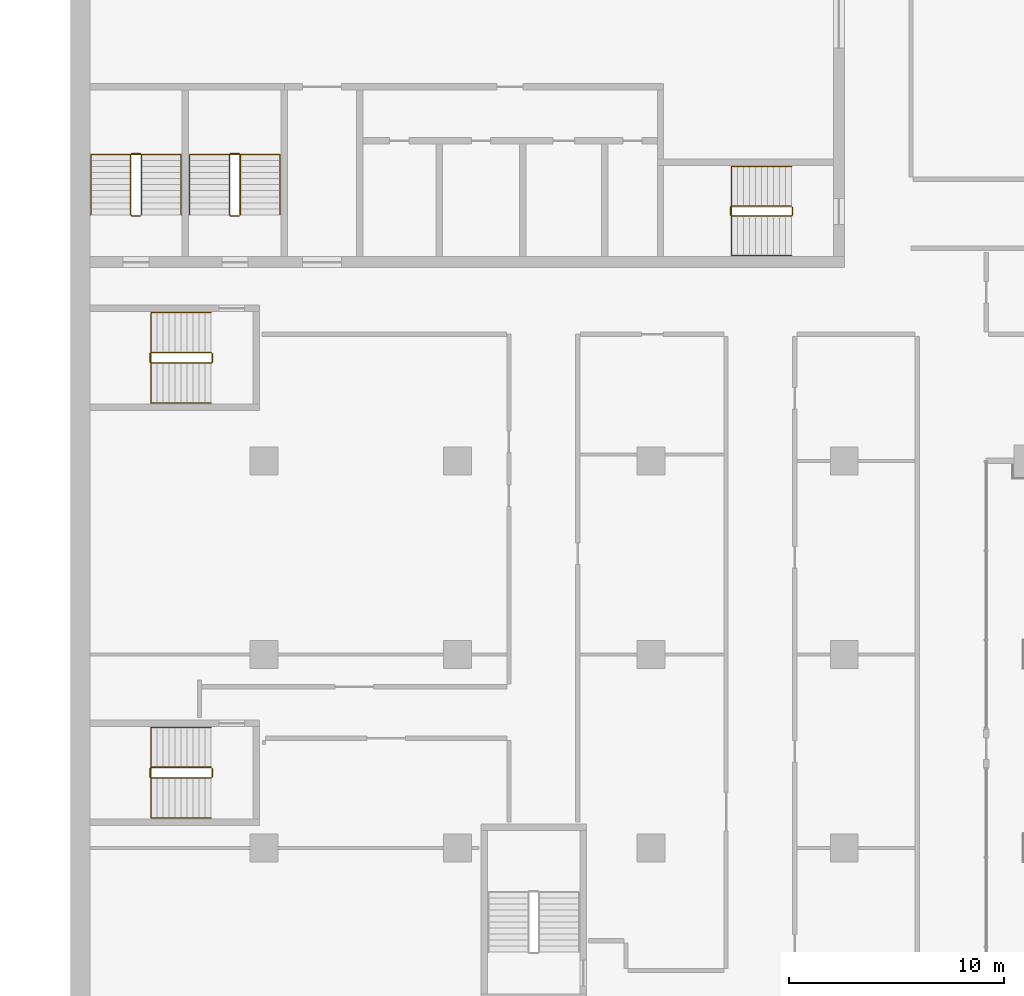
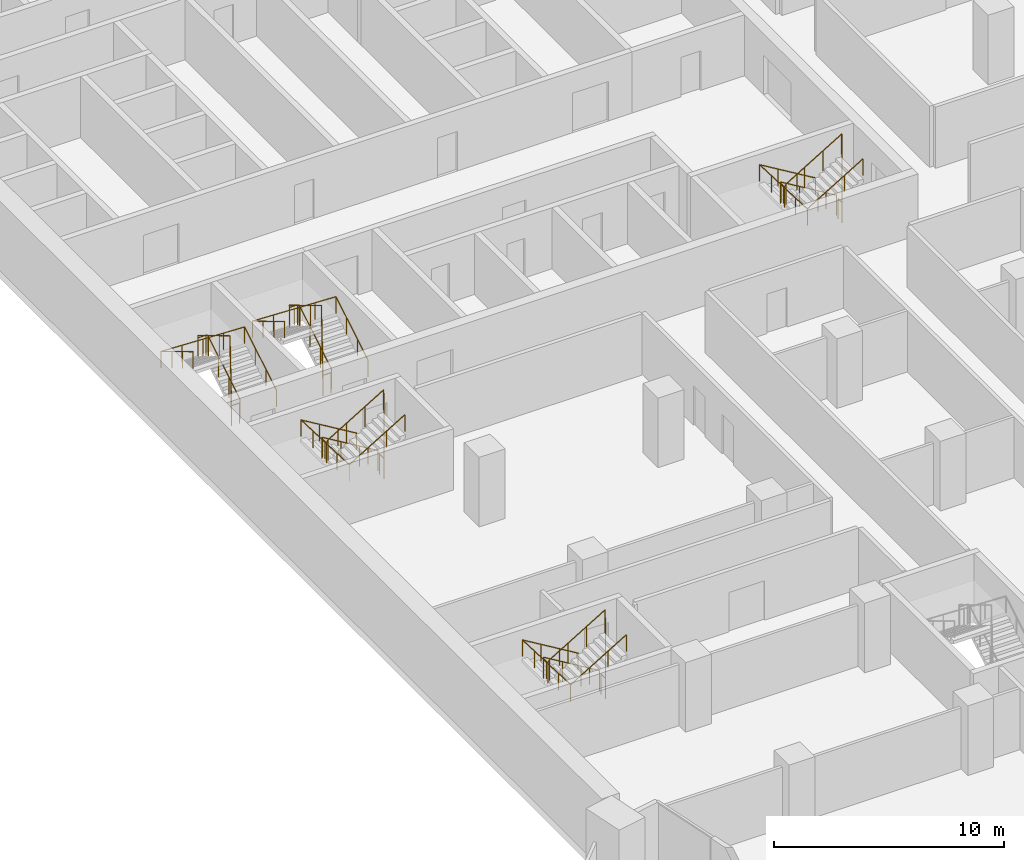
# One storey, part 21 of 23: 10 railings.
"""IFC4 building model written with IfcOpenShell, lengths in metres."""

from ifc_helpers import new_model, si_unit, direction, frame, origin, origin_2d, place, context, subcontext, project, spatial, circle, extrude, material, type_object, element, save


model = new_model("IFC4")

# Units and contexts
model_context = context("Model", 3, precision=1e-05, world=origin(), true_north=direction((0.0, 1.0)))
body_context = subcontext(model_context, "Body", "Model", "MODEL_VIEW")
ifc_project = project(units=[si_unit("LENGTHUNIT", "METRE"), si_unit("AREAUNIT", "SQUARE_METRE"), si_unit("VOLUMEUNIT", "CUBIC_METRE"), si_unit("PLANEANGLEUNIT", "RADIAN"), si_unit("MASSUNIT", "GRAM", prefix="KILO")], contexts=[model_context])

# Site, building, storey
site_placement = place(None, origin())
site = spatial("IfcSite", under=ifc_project, at=site_placement, CompositionType="ELEMENT")
building_placement = place(site_placement, origin())
building = spatial("IfcBuilding", under=site, at=building_placement, Name="Hunhe Ridgeline Campus", CompositionType="ELEMENT")
storey_placement = place(building_placement, frame((0.0, 0.0, 125.5)))
storey = spatial("IfcBuildingStorey", under=building, at=storey_placement, Name="L31", CompositionType="ELEMENT", Elevation=125.5)

# Railings
ifc_material_1 = material(Name="Stainless steel balustrade", Category="steel")
railing_type_1 = type_object("IfcRailingType", Name="Stair guard 1100 stainless", PredefinedType="GUARDRAIL", material=ifc_material_1)
railing_1_placement = place(storey_placement, frame((33.550048828125, 65.85009765625, 0.168212890625)))
element("IfcRailing", 1, at=railing_1_placement, inside=storey, type_object=railing_type_1, Name="L31 stair S2 guard", PredefinedType="GUARDRAIL", context=body_context, shape_type="SweptSolid", body=[
    extrude(circle(Radius=0.02392578125, at=origin_2d()), frame((0.0, 0.0, 1.076171875), z_axis=(-0.857242210791, 0.0, 0.514913383045), x_axis=(0.0, -1.0, 0.0)), (0.0, 0.0, 1.0), 3.266357421875),
    extrude(circle(Radius=0.02392578125, at=origin_2d()), frame((-2.800048828125, 0.0, 2.7578125), z_axis=(-0.707106781187, -0.707106781187, 0.0), x_axis=(0.707106781187, -0.707106781187, 0.0)), (0.0, 0.0, 1.0), 0.07080078125),
    extrude(circle(Radius=0.02392578125, at=origin_2d()), frame((-2.85009765625, -0.050048828125, 2.7578125), z_axis=(0.0, -1.0, 0.0), x_axis=(1.0, 0.0, 0.0)), (0.0, 0.0, 1.0), 0.35009765625),
    extrude(circle(Radius=0.02392578125, at=origin_2d()), frame((-2.85009765625, -0.400146484375, 2.7578125), z_axis=(0.274582412415, -0.274582412415, 0.921525364591), x_axis=(0.707106781187, 0.707106781187, 0.0)), (0.0, 0.0, 1.0), 0.182373046875),
    extrude(circle(Radius=0.02392578125, at=origin_2d()), frame((-2.800048828125, -0.4501953125, 2.92578125), z_axis=(0.857242210791, 0.0, 0.514913383045), x_axis=(0.0, 1.0, 0.0)), (0.0, 0.0, 1.0), 3.266357421875),
    extrude(circle(Radius=0.02392578125, at=origin_2d()), frame((0.0, -0.4501953125, 4.60791015625), z_axis=(0.013524414389, 0.013524414389, -0.999817073484), x_axis=(-0.707106781187, 0.707106781187, 0.0)), (0.0, 0.0, 1.0), 3.70068359375),
    extrude(circle(Radius=0.02392578125, at=origin_2d()), frame((0.050048828125, -0.400146484375, 0.90771484375), z_axis=(0.0, 1.0, 0.0), x_axis=(-1.0, 0.0, 0.0)), (0.0, 0.0, 1.0), 0.35009765625),
    extrude(circle(Radius=0.02099609375, at=origin_2d()), origin(), (0.0, 0.0, 1.0), 1.052001953125),
    extrude(circle(Radius=0.02099609375, at=origin_2d()), frame((-0.933349609375, 0.0, 0.560546875)), (0.0, 0.0, 1.0), 1.052001953125),
    extrude(circle(Radius=0.02099609375, at=origin_2d()), frame((-1.86669921875, 0.0, 1.121337890625)), (0.0, 0.0, 1.0), 1.052001953125),
    extrude(circle(Radius=0.02099609375, at=origin_2d()), frame((-2.800048828125, 0.0, 1.681884765625)), (0.0, 0.0, 1.0), 1.052001953125),
    extrude(circle(Radius=0.02099609375, at=origin_2d()), frame((-2.85009765625, -0.050048828125, 1.681884765625)), (0.0, 0.0, 1.0), 1.052001953125),
    extrude(circle(Radius=0.02099609375, at=origin_2d()), frame((-2.85009765625, -0.400146484375, 1.681884765625)), (0.0, 0.0, 1.0), 1.052001953125),
    extrude(circle(Radius=0.02099609375, at=origin_2d()), frame((-2.800048828125, -0.4501953125, 1.849853515625)), (0.0, 0.0, 1.0), 1.052001953125),
    extrude(circle(Radius=0.02099609375, at=origin_2d()), frame((-1.86669921875, -0.4501953125, 2.410400390625)), (0.0, 0.0, 1.0), 1.052001953125),
    extrude(circle(Radius=0.02099609375, at=origin_2d()), frame((-0.933349609375, -0.4501953125, 2.97119140625)), (0.0, 0.0, 1.0), 1.052001953125),
    extrude(circle(Radius=0.02099609375, at=origin_2d()), frame((0.0, -0.4501953125, 3.53173828125)), (0.0, 0.0, 1.0), 1.052001953125),
    extrude(circle(Radius=0.02099609375, at=origin_2d()), frame((0.012451171875, -0.437744140625, 2.606689453125)), (0.0, 0.0, 1.0), 1.052001953125),
    extrude(circle(Radius=0.02099609375, at=origin_2d()), frame((0.02490234375, -0.42529296875, 1.681640625)), (0.0, 0.0, 1.0), 1.052001953125),
    extrude(circle(Radius=0.02099609375, at=origin_2d()), frame((0.03759765625, -0.41259765625, 0.7568359375)), (0.0, 0.0, 1.0), 1.052001953125),
    extrude(circle(Radius=0.02099609375, at=origin_2d()), frame((0.050048828125, -0.400146484375, -0.168212890625)), (0.0, 0.0, 1.0), 1.052001953125),
    extrude(circle(Radius=0.02099609375, at=origin_2d()), frame((0.050048828125, -0.050048828125, -0.168212890625)), (0.0, 0.0, 1.0), 1.052001953125),
])
railing_2_placement = place(storey_placement, frame((3.300048828125, 65.449951171875, 0.168212890625)))
element("IfcRailing", 2, at=railing_2_placement, inside=storey, type_object=railing_type_1, Name="L31 stair S3 guard", PredefinedType="GUARDRAIL", context=body_context, shape_type="SweptSolid", body=[
    extrude(circle(Radius=0.02392578125, at=origin_2d()), frame((0.0, 0.0, 1.076171875), z_axis=(0.0, 0.857242210791, 0.514913383045), x_axis=(-1.0, 0.0, 0.0)), (0.0, 0.0, 1.0), 3.266357421875),
    extrude(circle(Radius=0.02392578125, at=origin_2d()), frame((0.0, 2.800048828125, 2.7578125), z_axis=(-0.707106781187, 0.707106781187, 0.0), x_axis=(-0.707106781187, -0.707106781187, 0.0)), (0.0, 0.0, 1.0), 0.07080078125),
    extrude(circle(Radius=0.02392578125, at=origin_2d()), frame((-0.050048828125, 2.85009765625, 2.7578125), z_axis=(-1.0, 0.0, 0.0), x_axis=(0.0, -1.0, 0.0)), (0.0, 0.0, 1.0), 0.39990234375),
    extrude(circle(Radius=0.02392578125, at=origin_2d()), frame((-0.449951171875, 2.85009765625, 2.7578125), z_axis=(-0.274582412415, -0.274582412415, 0.921525364591), x_axis=(0.707106781187, -0.707106781187, 0.0)), (0.0, 0.0, 1.0), 0.182373046875),
    extrude(circle(Radius=0.02392578125, at=origin_2d()), frame((-0.5, 2.800048828125, 2.92578125), z_axis=(0.0, -0.857242210791, 0.514913383045), x_axis=(1.0, 0.0, 0.0)), (0.0, 0.0, 1.0), 3.266357421875),
    extrude(circle(Radius=0.02392578125, at=origin_2d()), frame((-0.5, 0.0, 4.60791015625), z_axis=(0.013524414389, -0.013524414389, -0.999817073484), x_axis=(0.707106781187, 0.707106781187, 0.0)), (0.0, 0.0, 1.0), 3.70068359375),
    extrude(circle(Radius=0.02392578125, at=origin_2d()), frame((-0.449951171875, -0.050048828125, 0.90771484375), z_axis=(1.0, 0.0, 0.0), x_axis=(0.0, 1.0, 0.0)), (0.0, 0.0, 1.0), 0.39990234375),
    extrude(circle(Radius=0.02099609375, at=origin_2d()), origin(), (0.0, 0.0, 1.0), 1.052001953125),
    extrude(circle(Radius=0.02099609375, at=origin_2d()), frame((0.0, 0.933349609375, 0.560546875)), (0.0, 0.0, 1.0), 1.052001953125),
    extrude(circle(Radius=0.02099609375, at=origin_2d()), frame((0.0, 1.86669921875, 1.121337890625)), (0.0, 0.0, 1.0), 1.052001953125),
    extrude(circle(Radius=0.02099609375, at=origin_2d()), frame((0.0, 2.800048828125, 1.681884765625)), (0.0, 0.0, 1.0), 1.052001953125),
    extrude(circle(Radius=0.02099609375, at=origin_2d()), frame((-0.050048828125, 2.85009765625, 1.681884765625)), (0.0, 0.0, 1.0), 1.052001953125),
    extrude(circle(Radius=0.02099609375, at=origin_2d()), frame((-0.449951171875, 2.85009765625, 1.681884765625)), (0.0, 0.0, 1.0), 1.052001953125),
    extrude(circle(Radius=0.02099609375, at=origin_2d()), frame((-0.5, 2.800048828125, 1.849853515625)), (0.0, 0.0, 1.0), 1.052001953125),
    extrude(circle(Radius=0.02099609375, at=origin_2d()), frame((-0.5, 1.86669921875, 2.410400390625)), (0.0, 0.0, 1.0), 1.052001953125),
    extrude(circle(Radius=0.02099609375, at=origin_2d()), frame((-0.5, 0.933349609375, 2.97119140625)), (0.0, 0.0, 1.0), 1.052001953125),
    extrude(circle(Radius=0.02099609375, at=origin_2d()), frame((-0.5, 0.0, 3.53173828125)), (0.0, 0.0, 1.0), 1.052001953125),
    extrude(circle(Radius=0.02099609375, at=origin_2d()), frame((-0.487548828125, -0.012451171875, 2.606689453125)), (0.0, 0.0, 1.0), 1.052001953125),
    extrude(circle(Radius=0.02099609375, at=origin_2d()), frame((-0.47509765625, -0.02490234375, 1.681640625)), (0.0, 0.0, 1.0), 1.052001953125),
    extrude(circle(Radius=0.02099609375, at=origin_2d()), frame((-0.46240234375, -0.03759765625, 0.7568359375)), (0.0, 0.0, 1.0), 1.052001953125),
    extrude(circle(Radius=0.02099609375, at=origin_2d()), frame((-0.449951171875, -0.050048828125, -0.168212890625)), (0.0, 0.0, 1.0), 1.052001953125),
    extrude(circle(Radius=0.02099609375, at=origin_2d()), frame((-0.050048828125, -0.050048828125, -0.168212890625)), (0.0, 0.0, 1.0), 1.052001953125),
])
railing_3_placement = place(storey_placement, frame((7.89990234375, 65.449951171875, 0.168212890625)))
element("IfcRailing", 3, at=railing_3_placement, inside=storey, type_object=railing_type_1, Name="L31 stair S4 guard", PredefinedType="GUARDRAIL", context=body_context, shape_type="SweptSolid", body=[
    extrude(circle(Radius=0.02392578125, at=origin_2d()), frame((0.0, 0.0, 1.076171875), z_axis=(0.0, 0.857242210791, 0.514913383045), x_axis=(-1.0, 0.0, 0.0)), (0.0, 0.0, 1.0), 3.266357421875),
    extrude(circle(Radius=0.02392578125, at=origin_2d()), frame((0.0, 2.800048828125, 2.7578125), z_axis=(-0.705375805398, 0.708833529934, 0.0), x_axis=(-0.708833529934, -0.705375805398, 0.0)), (0.0, 0.0, 1.0), 0.070556640625),
    extrude(circle(Radius=0.02392578125, at=origin_2d()), frame((-0.0498046875, 2.85009765625, 2.7578125), z_axis=(-1.0, 0.0, 0.0), x_axis=(0.0, -1.0, 0.0)), (0.0, 0.0, 1.0), 0.400146484375),
    extrude(circle(Radius=0.02392578125, at=origin_2d()), frame((-0.449951171875, 2.85009765625, 2.7578125), z_axis=(-0.274582412415, -0.274582412415, 0.921525364591), x_axis=(0.707106781187, -0.707106781187, 0.0)), (0.0, 0.0, 1.0), 0.182373046875),
    extrude(circle(Radius=0.02392578125, at=origin_2d()), frame((-0.5, 2.800048828125, 2.92578125), z_axis=(0.0, -0.857242210791, 0.514913383045), x_axis=(1.0, 0.0, 0.0)), (0.0, 0.0, 1.0), 3.266357421875),
    extrude(circle(Radius=0.02392578125, at=origin_2d()), frame((-0.5, 0.0, 4.60791015625), z_axis=(0.013524414389, -0.013524414389, -0.999817073484), x_axis=(0.707106781187, 0.707106781187, 0.0)), (0.0, 0.0, 1.0), 3.70068359375),
    extrude(circle(Radius=0.02392578125, at=origin_2d()), frame((-0.449951171875, -0.050048828125, 0.90771484375), z_axis=(1.0, 0.0, 0.0), x_axis=(0.0, 1.0, 0.0)), (0.0, 0.0, 1.0), 0.400146484375),
    extrude(circle(Radius=0.02099609375, at=origin_2d()), origin(), (0.0, 0.0, 1.0), 1.052001953125),
    extrude(circle(Radius=0.02099609375, at=origin_2d()), frame((0.0, 0.933349609375, 0.560546875)), (0.0, 0.0, 1.0), 1.052001953125),
    extrude(circle(Radius=0.02099609375, at=origin_2d()), frame((0.0, 1.86669921875, 1.121337890625)), (0.0, 0.0, 1.0), 1.052001953125),
    extrude(circle(Radius=0.02099609375, at=origin_2d()), frame((0.0, 2.800048828125, 1.681884765625)), (0.0, 0.0, 1.0), 1.052001953125),
    extrude(circle(Radius=0.02099609375, at=origin_2d()), frame((-0.0498046875, 2.85009765625, 1.681884765625)), (0.0, 0.0, 1.0), 1.052001953125),
    extrude(circle(Radius=0.02099609375, at=origin_2d()), frame((-0.449951171875, 2.85009765625, 1.681884765625)), (0.0, 0.0, 1.0), 1.052001953125),
    extrude(circle(Radius=0.02099609375, at=origin_2d()), frame((-0.5, 2.800048828125, 1.849853515625)), (0.0, 0.0, 1.0), 1.052001953125),
    extrude(circle(Radius=0.02099609375, at=origin_2d()), frame((-0.5, 1.86669921875, 2.410400390625)), (0.0, 0.0, 1.0), 1.052001953125),
    extrude(circle(Radius=0.02099609375, at=origin_2d()), frame((-0.5, 0.933349609375, 2.97119140625)), (0.0, 0.0, 1.0), 1.052001953125),
    extrude(circle(Radius=0.02099609375, at=origin_2d()), frame((-0.5, 0.0, 3.53173828125)), (0.0, 0.0, 1.0), 1.052001953125),
    extrude(circle(Radius=0.02099609375, at=origin_2d()), frame((-0.487548828125, -0.012451171875, 2.606689453125)), (0.0, 0.0, 1.0), 1.052001953125),
    extrude(circle(Radius=0.02099609375, at=origin_2d()), frame((-0.47509765625, -0.02490234375, 1.681640625)), (0.0, 0.0, 1.0), 1.052001953125),
    extrude(circle(Radius=0.02099609375, at=origin_2d()), frame((-0.46240234375, -0.03759765625, 0.7568359375)), (0.0, 0.0, 1.0), 1.052001953125),
    extrude(circle(Radius=0.02099609375, at=origin_2d()), frame((-0.449951171875, -0.050048828125, -0.168212890625)), (0.0, 0.0, 1.0), 1.052001953125),
    extrude(circle(Radius=0.02099609375, at=origin_2d()), frame((-0.0498046875, -0.050048828125, -0.168212890625)), (0.0, 0.0, 1.0), 1.052001953125),
])
railing_4_placement = place(storey_placement, frame((6.550048828125, 39.75, 0.168212890625)))
element("IfcRailing", 4, at=railing_4_placement, inside=storey, type_object=railing_type_1, Name="L31 stair W1 guard", PredefinedType="GUARDRAIL", context=body_context, shape_type="SweptSolid", body=[
    extrude(circle(Radius=0.02392578125, at=origin_2d()), frame((0.0, 0.0, 1.076171875), z_axis=(-0.857242210791, 0.0, 0.514913383045), x_axis=(0.0, -1.0, 0.0)), (0.0, 0.0, 1.0), 3.266357421875),
    extrude(circle(Radius=0.02392578125, at=origin_2d()), frame((-2.800048828125, 0.0, 2.7578125), z_axis=(-0.707106781187, -0.707106781187, 0.0), x_axis=(0.707106781187, -0.707106781187, 0.0)), (0.0, 0.0, 1.0), 0.07080078125),
    extrude(circle(Radius=0.02392578125, at=origin_2d()), frame((-2.85009765625, -0.050048828125, 2.7578125), z_axis=(0.0, -1.0, 0.0), x_axis=(1.0, 0.0, 0.0)), (0.0, 0.0, 1.0), 0.39990234375),
    extrude(circle(Radius=0.02392578125, at=origin_2d()), frame((-2.85009765625, -0.449951171875, 2.7578125), z_axis=(0.274582412415, -0.274582412415, 0.921525364591), x_axis=(0.707106781187, 0.707106781187, 0.0)), (0.0, 0.0, 1.0), 0.182373046875),
    extrude(circle(Radius=0.02392578125, at=origin_2d()), frame((-2.800048828125, -0.5, 2.92578125), z_axis=(0.857242210791, 0.0, 0.514913383045), x_axis=(0.0, 1.0, 0.0)), (0.0, 0.0, 1.0), 3.266357421875),
    extrude(circle(Radius=0.02392578125, at=origin_2d()), frame((0.0, -0.5, 4.60791015625), z_axis=(0.013524414389, 0.013524414389, -0.999817073484), x_axis=(-0.707106781187, 0.707106781187, 0.0)), (0.0, 0.0, 1.0), 3.70068359375),
    extrude(circle(Radius=0.02392578125, at=origin_2d()), frame((0.050048828125, -0.449951171875, 0.90771484375), z_axis=(0.0, 1.0, 0.0), x_axis=(-1.0, 0.0, 0.0)), (0.0, 0.0, 1.0), 0.39990234375),
    extrude(circle(Radius=0.02099609375, at=origin_2d()), origin(), (0.0, 0.0, 1.0), 1.052001953125),
    extrude(circle(Radius=0.02099609375, at=origin_2d()), frame((-0.933349609375, 0.0, 0.560546875)), (0.0, 0.0, 1.0), 1.052001953125),
    extrude(circle(Radius=0.02099609375, at=origin_2d()), frame((-1.86669921875, 0.0, 1.121337890625)), (0.0, 0.0, 1.0), 1.052001953125),
    extrude(circle(Radius=0.02099609375, at=origin_2d()), frame((-2.800048828125, 0.0, 1.681884765625)), (0.0, 0.0, 1.0), 1.052001953125),
    extrude(circle(Radius=0.02099609375, at=origin_2d()), frame((-2.85009765625, -0.050048828125, 1.681884765625)), (0.0, 0.0, 1.0), 1.052001953125),
    extrude(circle(Radius=0.02099609375, at=origin_2d()), frame((-2.85009765625, -0.449951171875, 1.681884765625)), (0.0, 0.0, 1.0), 1.052001953125),
    extrude(circle(Radius=0.02099609375, at=origin_2d()), frame((-2.800048828125, -0.5, 1.849853515625)), (0.0, 0.0, 1.0), 1.052001953125),
    extrude(circle(Radius=0.02099609375, at=origin_2d()), frame((-1.86669921875, -0.5, 2.410400390625)), (0.0, 0.0, 1.0), 1.052001953125),
    extrude(circle(Radius=0.02099609375, at=origin_2d()), frame((-0.933349609375, -0.5, 2.97119140625)), (0.0, 0.0, 1.0), 1.052001953125),
    extrude(circle(Radius=0.02099609375, at=origin_2d()), frame((0.0, -0.5, 3.53173828125)), (0.0, 0.0, 1.0), 1.052001953125),
    extrude(circle(Radius=0.02099609375, at=origin_2d()), frame((0.012451171875, -0.487548828125, 2.606689453125)), (0.0, 0.0, 1.0), 1.052001953125),
    extrude(circle(Radius=0.02099609375, at=origin_2d()), frame((0.02490234375, -0.47509765625, 1.681640625)), (0.0, 0.0, 1.0), 1.052001953125),
    extrude(circle(Radius=0.02099609375, at=origin_2d()), frame((0.03759765625, -0.46240234375, 0.7568359375)), (0.0, 0.0, 1.0), 1.052001953125),
    extrude(circle(Radius=0.02099609375, at=origin_2d()), frame((0.050048828125, -0.449951171875, -0.168212890625)), (0.0, 0.0, 1.0), 1.052001953125),
    extrude(circle(Radius=0.02099609375, at=origin_2d()), frame((0.050048828125, -0.050048828125, -0.168212890625)), (0.0, 0.0, 1.0), 1.052001953125),
])
railing_5_placement = place(storey_placement, frame((6.550048828125, 59.050048828125, 0.168212890625)))
element("IfcRailing", 5, at=railing_5_placement, inside=storey, type_object=railing_type_1, Name="L31 stair W2 guard", PredefinedType="GUARDRAIL", context=body_context, shape_type="SweptSolid", body=[
    extrude(circle(Radius=0.02392578125, at=origin_2d()), frame((0.0, 0.0, 1.076171875), z_axis=(-0.857242210791, 0.0, 0.514913383045), x_axis=(0.0, -1.0, 0.0)), (0.0, 0.0, 1.0), 3.266357421875),
    extrude(circle(Radius=0.02392578125, at=origin_2d()), frame((-2.800048828125, 0.0, 2.7578125), z_axis=(-0.707106781187, -0.707106781187, 0.0), x_axis=(0.707106781187, -0.707106781187, 0.0)), (0.0, 0.0, 1.0), 0.07080078125),
    extrude(circle(Radius=0.02392578125, at=origin_2d()), frame((-2.85009765625, -0.050048828125, 2.7578125), z_axis=(0.0, -1.0, 0.0), x_axis=(1.0, 0.0, 0.0)), (0.0, 0.0, 1.0), 0.39990234375),
    extrude(circle(Radius=0.02392578125, at=origin_2d()), frame((-2.85009765625, -0.449951171875, 2.7578125), z_axis=(0.274582412415, -0.274582412415, 0.921525364591), x_axis=(0.707106781187, 0.707106781187, 0.0)), (0.0, 0.0, 1.0), 0.182373046875),
    extrude(circle(Radius=0.02392578125, at=origin_2d()), frame((-2.800048828125, -0.5, 2.92578125), z_axis=(0.857242210791, 0.0, 0.514913383045), x_axis=(0.0, 1.0, 0.0)), (0.0, 0.0, 1.0), 3.266357421875),
    extrude(circle(Radius=0.02392578125, at=origin_2d()), frame((0.0, -0.5, 4.60791015625), z_axis=(0.013524414389, 0.013524414389, -0.999817073484), x_axis=(-0.707106781187, 0.707106781187, 0.0)), (0.0, 0.0, 1.0), 3.70068359375),
    extrude(circle(Radius=0.02392578125, at=origin_2d()), frame((0.050048828125, -0.449951171875, 0.90771484375), z_axis=(0.0, 1.0, 0.0), x_axis=(-1.0, 0.0, 0.0)), (0.0, 0.0, 1.0), 0.39990234375),
    extrude(circle(Radius=0.02099609375, at=origin_2d()), origin(), (0.0, 0.0, 1.0), 1.052001953125),
    extrude(circle(Radius=0.02099609375, at=origin_2d()), frame((-0.933349609375, 0.0, 0.560546875)), (0.0, 0.0, 1.0), 1.052001953125),
    extrude(circle(Radius=0.02099609375, at=origin_2d()), frame((-1.86669921875, 0.0, 1.121337890625)), (0.0, 0.0, 1.0), 1.052001953125),
    extrude(circle(Radius=0.02099609375, at=origin_2d()), frame((-2.800048828125, 0.0, 1.681884765625)), (0.0, 0.0, 1.0), 1.052001953125),
    extrude(circle(Radius=0.02099609375, at=origin_2d()), frame((-2.85009765625, -0.050048828125, 1.681884765625)), (0.0, 0.0, 1.0), 1.052001953125),
    extrude(circle(Radius=0.02099609375, at=origin_2d()), frame((-2.85009765625, -0.449951171875, 1.681884765625)), (0.0, 0.0, 1.0), 1.052001953125),
    extrude(circle(Radius=0.02099609375, at=origin_2d()), frame((-2.800048828125, -0.5, 1.849853515625)), (0.0, 0.0, 1.0), 1.052001953125),
    extrude(circle(Radius=0.02099609375, at=origin_2d()), frame((-1.86669921875, -0.5, 2.410400390625)), (0.0, 0.0, 1.0), 1.052001953125),
    extrude(circle(Radius=0.02099609375, at=origin_2d()), frame((-0.933349609375, -0.5, 2.97119140625)), (0.0, 0.0, 1.0), 1.052001953125),
    extrude(circle(Radius=0.02099609375, at=origin_2d()), frame((0.0, -0.5, 3.53173828125)), (0.0, 0.0, 1.0), 1.052001953125),
    extrude(circle(Radius=0.02099609375, at=origin_2d()), frame((0.012451171875, -0.487548828125, 2.606689453125)), (0.0, 0.0, 1.0), 1.052001953125),
    extrude(circle(Radius=0.02099609375, at=origin_2d()), frame((0.02490234375, -0.47509765625, 1.681640625)), (0.0, 0.0, 1.0), 1.052001953125),
    extrude(circle(Radius=0.02099609375, at=origin_2d()), frame((0.03759765625, -0.46240234375, 0.7568359375)), (0.0, 0.0, 1.0), 1.052001953125),
    extrude(circle(Radius=0.02099609375, at=origin_2d()), frame((0.050048828125, -0.449951171875, -0.168212890625)), (0.0, 0.0, 1.0), 1.052001953125),
    extrude(circle(Radius=0.02099609375, at=origin_2d()), frame((0.050048828125, -0.050048828125, -0.168212890625)), (0.0, 0.0, 1.0), 1.052001953125),
])
ifc_material_2 = material(Name="Stainless steel handrail", Category="steel")
railing_type_2 = type_object("IfcRailingType", Name="Stair handrail 900 stainless", PredefinedType="HANDRAIL", material=ifc_material_2)
railing_6_placement = place(storey_placement, frame((33.550048828125, 67.699951171875, 0.168212890625)))
element("IfcRailing", 6, at=railing_6_placement, inside=storey, type_object=railing_type_2, Name="L31 stair S2 handrail", PredefinedType="HANDRAIL", context=body_context, shape_type="SweptSolid", body=[
    extrude(circle(Radius=0.02392578125, at=origin_2d()), frame((0.0, 0.0, 0.8759765625), z_axis=(-0.857242210791, 0.0, 0.514913383045), x_axis=(0.0, -1.0, 0.0)), (0.0, 0.0, 1.0), 3.266357421875),
    extrude(circle(Radius=0.02392578125, at=origin_2d()), frame((-2.800048828125, 0.0, 2.5576171875), z_axis=(0.0, -0.999181878101, 0.040442236271), x_axis=(1.0, 0.0, 0.0)), (0.0, 0.0, 1.0), 4.1533203125),
    extrude(circle(Radius=0.02392578125, at=origin_2d()), frame((-2.800048828125, -4.14990234375, 2.7255859375), z_axis=(0.857242210791, 0.0, 0.514913383045), x_axis=(0.0, 1.0, 0.0)), (0.0, 0.0, 1.0), 3.266357421875),
    extrude(circle(Radius=0.02099609375, at=origin_2d()), origin(), (0.0, 0.0, 1.0), 0.851806640625),
    extrude(circle(Radius=0.02099609375, at=origin_2d()), frame((-0.933349609375, 0.0, 0.560546875)), (0.0, 0.0, 1.0), 0.851806640625),
    extrude(circle(Radius=0.02099609375, at=origin_2d()), frame((-1.86669921875, 0.0, 1.121337890625)), (0.0, 0.0, 1.0), 0.851806640625),
    extrude(circle(Radius=0.02099609375, at=origin_2d()), frame((-2.800048828125, 0.0, 1.681884765625)), (0.0, 0.0, 1.0), 0.851806640625),
    extrude(circle(Radius=0.02099609375, at=origin_2d()), frame((-2.800048828125, -1.03759765625, 1.723876953125)), (0.0, 0.0, 1.0), 0.851806640625),
    extrude(circle(Radius=0.02099609375, at=origin_2d()), frame((-2.800048828125, -2.074951171875, 1.765869140625)), (0.0, 0.0, 1.0), 0.851806640625),
    extrude(circle(Radius=0.02099609375, at=origin_2d()), frame((-2.800048828125, -3.1123046875, 1.807861328125)), (0.0, 0.0, 1.0), 0.851806640625),
    extrude(circle(Radius=0.02099609375, at=origin_2d()), frame((-2.800048828125, -4.14990234375, 1.849853515625)), (0.0, 0.0, 1.0), 0.851806640625),
    extrude(circle(Radius=0.02099609375, at=origin_2d()), frame((-1.86669921875, -4.14990234375, 2.410400390625)), (0.0, 0.0, 1.0), 0.851806640625),
    extrude(circle(Radius=0.02099609375, at=origin_2d()), frame((-0.933349609375, -4.14990234375, 2.97119140625)), (0.0, 0.0, 1.0), 0.851806640625),
    extrude(circle(Radius=0.02099609375, at=origin_2d()), frame((0.0, -4.14990234375, 3.53173828125)), (0.0, 0.0, 1.0), 0.851806640625),
])
railing_7_placement = place(storey_placement, frame((5.14990234375, 65.449951171875, 0.168212890625)))
element("IfcRailing", 7, at=railing_7_placement, inside=storey, type_object=railing_type_2, Name="L31 stair S3 handrail", PredefinedType="HANDRAIL", context=body_context, shape_type="SweptSolid", body=[
    extrude(circle(Radius=0.02392578125, at=origin_2d()), frame((0.0, 0.0, 0.8759765625), z_axis=(0.0, 0.857242210791, 0.514913383045), x_axis=(-1.0, 0.0, 0.0)), (0.0, 0.0, 1.0), 3.266357421875),
    extrude(circle(Radius=0.02392578125, at=origin_2d()), frame((0.0, 2.800048828125, 2.5576171875), z_axis=(-0.99920123705, 0.0, 0.039961079526), x_axis=(0.0, -1.0, 0.0)), (0.0, 0.0, 1.0), 4.203369140625),
    extrude(circle(Radius=0.02392578125, at=origin_2d()), frame((-4.199951171875, 2.800048828125, 2.7255859375), z_axis=(0.0, -0.857242210791, 0.514913383045), x_axis=(1.0, 0.0, 0.0)), (0.0, 0.0, 1.0), 3.266357421875),
    extrude(circle(Radius=0.02099609375, at=origin_2d()), origin(), (0.0, 0.0, 1.0), 0.851806640625),
    extrude(circle(Radius=0.02099609375, at=origin_2d()), frame((0.0, 0.933349609375, 0.560546875)), (0.0, 0.0, 1.0), 0.851806640625),
    extrude(circle(Radius=0.02099609375, at=origin_2d()), frame((0.0, 1.86669921875, 1.121337890625)), (0.0, 0.0, 1.0), 0.851806640625),
    extrude(circle(Radius=0.02099609375, at=origin_2d()), frame((0.0, 2.800048828125, 1.681884765625)), (0.0, 0.0, 1.0), 0.851806640625),
    extrude(circle(Radius=0.02099609375, at=origin_2d()), frame((-1.050048828125, 2.800048828125, 1.723876953125)), (0.0, 0.0, 1.0), 0.851806640625),
    extrude(circle(Radius=0.02099609375, at=origin_2d()), frame((-2.10009765625, 2.800048828125, 1.765869140625)), (0.0, 0.0, 1.0), 0.851806640625),
    extrude(circle(Radius=0.02099609375, at=origin_2d()), frame((-3.14990234375, 2.800048828125, 1.807861328125)), (0.0, 0.0, 1.0), 0.851806640625),
    extrude(circle(Radius=0.02099609375, at=origin_2d()), frame((-4.199951171875, 2.800048828125, 1.849853515625)), (0.0, 0.0, 1.0), 0.851806640625),
    extrude(circle(Radius=0.02099609375, at=origin_2d()), frame((-4.199951171875, 1.86669921875, 2.410400390625)), (0.0, 0.0, 1.0), 0.851806640625),
    extrude(circle(Radius=0.02099609375, at=origin_2d()), frame((-4.199951171875, 0.933349609375, 2.97119140625)), (0.0, 0.0, 1.0), 0.851806640625),
    extrude(circle(Radius=0.02099609375, at=origin_2d()), frame((-4.199951171875, 0.0, 3.53173828125)), (0.0, 0.0, 1.0), 0.851806640625),
])
railing_8_placement = place(storey_placement, frame((9.75, 65.449951171875, 0.168212890625)))
element("IfcRailing", 8, at=railing_8_placement, inside=storey, type_object=railing_type_2, Name="L31 stair S4 handrail", PredefinedType="HANDRAIL", context=body_context, shape_type="SweptSolid", body=[
    extrude(circle(Radius=0.02392578125, at=origin_2d()), frame((0.0, 0.0, 0.8759765625), z_axis=(0.0, 0.857242210791, 0.514913383045), x_axis=(-1.0, 0.0, 0.0)), (0.0, 0.0, 1.0), 3.266357421875),
    extrude(circle(Radius=0.02392578125, at=origin_2d()), frame((0.0, 2.800048828125, 2.5576171875), z_axis=(-0.99920123705, 0.0, 0.039961079526), x_axis=(0.0, -1.0, 0.0)), (0.0, 0.0, 1.0), 4.203369140625),
    extrude(circle(Radius=0.02392578125, at=origin_2d()), frame((-4.199951171875, 2.800048828125, 2.7255859375), z_axis=(0.0, -0.857242210791, 0.514913383045), x_axis=(1.0, 0.0, 0.0)), (0.0, 0.0, 1.0), 3.266357421875),
    extrude(circle(Radius=0.02099609375, at=origin_2d()), origin(), (0.0, 0.0, 1.0), 0.851806640625),
    extrude(circle(Radius=0.02099609375, at=origin_2d()), frame((0.0, 0.933349609375, 0.560546875)), (0.0, 0.0, 1.0), 0.851806640625),
    extrude(circle(Radius=0.02099609375, at=origin_2d()), frame((0.0, 1.86669921875, 1.121337890625)), (0.0, 0.0, 1.0), 0.851806640625),
    extrude(circle(Radius=0.02099609375, at=origin_2d()), frame((0.0, 2.800048828125, 1.681884765625)), (0.0, 0.0, 1.0), 0.851806640625),
    extrude(circle(Radius=0.02099609375, at=origin_2d()), frame((-1.050048828125, 2.800048828125, 1.723876953125)), (0.0, 0.0, 1.0), 0.851806640625),
    extrude(circle(Radius=0.02099609375, at=origin_2d()), frame((-2.10009765625, 2.800048828125, 1.765869140625)), (0.0, 0.0, 1.0), 0.851806640625),
    extrude(circle(Radius=0.02099609375, at=origin_2d()), frame((-3.14990234375, 2.800048828125, 1.807861328125)), (0.0, 0.0, 1.0), 0.851806640625),
    extrude(circle(Radius=0.02099609375, at=origin_2d()), frame((-4.199951171875, 2.800048828125, 1.849853515625)), (0.0, 0.0, 1.0), 0.851806640625),
    extrude(circle(Radius=0.02099609375, at=origin_2d()), frame((-4.199951171875, 1.86669921875, 2.410400390625)), (0.0, 0.0, 1.0), 0.851806640625),
    extrude(circle(Radius=0.02099609375, at=origin_2d()), frame((-4.199951171875, 0.933349609375, 2.97119140625)), (0.0, 0.0, 1.0), 0.851806640625),
    extrude(circle(Radius=0.02099609375, at=origin_2d()), frame((-4.199951171875, 0.0, 3.53173828125)), (0.0, 0.0, 1.0), 0.851806640625),
])
railing_9_placement = place(storey_placement, frame((6.550048828125, 41.60009765625, 0.168212890625)))
element("IfcRailing", 9, at=railing_9_placement, inside=storey, type_object=railing_type_2, Name="L31 stair W1 handrail", PredefinedType="HANDRAIL", context=body_context, shape_type="SweptSolid", body=[
    extrude(circle(Radius=0.02392578125, at=origin_2d()), frame((0.0, 0.0, 0.8759765625), z_axis=(-0.857242210791, 0.0, 0.514913383045), x_axis=(0.0, -1.0, 0.0)), (0.0, 0.0, 1.0), 3.266357421875),
    extrude(circle(Radius=0.02392578125, at=origin_2d()), frame((-2.800048828125, 0.0, 2.5576171875), z_axis=(0.0, -0.999201329794, 0.039958760457), x_axis=(1.0, 0.0, 0.0)), (0.0, 0.0, 1.0), 4.20361328125),
    extrude(circle(Radius=0.02392578125, at=origin_2d()), frame((-2.800048828125, -4.2001953125, 2.7255859375), z_axis=(0.857242210791, 0.0, 0.514913383045), x_axis=(0.0, 1.0, 0.0)), (0.0, 0.0, 1.0), 3.266357421875),
    extrude(circle(Radius=0.02099609375, at=origin_2d()), origin(), (0.0, 0.0, 1.0), 0.851806640625),
    extrude(circle(Radius=0.02099609375, at=origin_2d()), frame((-0.933349609375, 0.0, 0.560546875)), (0.0, 0.0, 1.0), 0.851806640625),
    extrude(circle(Radius=0.02099609375, at=origin_2d()), frame((-1.86669921875, 0.0, 1.121337890625)), (0.0, 0.0, 1.0), 0.851806640625),
    extrude(circle(Radius=0.02099609375, at=origin_2d()), frame((-2.800048828125, 0.0, 1.681884765625)), (0.0, 0.0, 1.0), 0.851806640625),
    extrude(circle(Radius=0.02099609375, at=origin_2d()), frame((-2.800048828125, -1.050048828125, 1.723876953125)), (0.0, 0.0, 1.0), 0.851806640625),
    extrude(circle(Radius=0.02099609375, at=origin_2d()), frame((-2.800048828125, -2.10009765625, 1.765869140625)), (0.0, 0.0, 1.0), 0.851806640625),
    extrude(circle(Radius=0.02099609375, at=origin_2d()), frame((-2.800048828125, -3.150146484375, 1.807861328125)), (0.0, 0.0, 1.0), 0.851806640625),
    extrude(circle(Radius=0.02099609375, at=origin_2d()), frame((-2.800048828125, -4.2001953125, 1.849853515625)), (0.0, 0.0, 1.0), 0.851806640625),
    extrude(circle(Radius=0.02099609375, at=origin_2d()), frame((-1.86669921875, -4.2001953125, 2.410400390625)), (0.0, 0.0, 1.0), 0.851806640625),
    extrude(circle(Radius=0.02099609375, at=origin_2d()), frame((-0.933349609375, -4.2001953125, 2.97119140625)), (0.0, 0.0, 1.0), 0.851806640625),
    extrude(circle(Radius=0.02099609375, at=origin_2d()), frame((0.0, -4.2001953125, 3.53173828125)), (0.0, 0.0, 1.0), 0.851806640625),
])
railing_10_placement = place(storey_placement, frame((6.550048828125, 60.89990234375, 0.168212890625)))
element("IfcRailing", 10, at=railing_10_placement, inside=storey, type_object=railing_type_2, Name="L31 stair W2 handrail", PredefinedType="HANDRAIL", context=body_context, shape_type="SweptSolid", body=[
    extrude(circle(Radius=0.02392578125, at=origin_2d()), frame((0.0, 0.0, 0.8759765625), z_axis=(-0.857242210791, 0.0, 0.514913383045), x_axis=(0.0, -1.0, 0.0)), (0.0, 0.0, 1.0), 3.266357421875),
    extrude(circle(Radius=0.02392578125, at=origin_2d()), frame((-2.800048828125, 0.0, 2.5576171875), z_axis=(0.0, -0.99920123705, 0.039961079526), x_axis=(1.0, 0.0, 0.0)), (0.0, 0.0, 1.0), 4.203369140625),
    extrude(circle(Radius=0.02392578125, at=origin_2d()), frame((-2.800048828125, -4.199951171875, 2.7255859375), z_axis=(0.857242210791, 0.0, 0.514913383045), x_axis=(0.0, 1.0, 0.0)), (0.0, 0.0, 1.0), 3.266357421875),
    extrude(circle(Radius=0.02099609375, at=origin_2d()), origin(), (0.0, 0.0, 1.0), 0.851806640625),
    extrude(circle(Radius=0.02099609375, at=origin_2d()), frame((-0.933349609375, 0.0, 0.560546875)), (0.0, 0.0, 1.0), 0.851806640625),
    extrude(circle(Radius=0.02099609375, at=origin_2d()), frame((-1.86669921875, 0.0, 1.121337890625)), (0.0, 0.0, 1.0), 0.851806640625),
    extrude(circle(Radius=0.02099609375, at=origin_2d()), frame((-2.800048828125, 0.0, 1.681884765625)), (0.0, 0.0, 1.0), 0.851806640625),
    extrude(circle(Radius=0.02099609375, at=origin_2d()), frame((-2.800048828125, -1.050048828125, 1.723876953125)), (0.0, 0.0, 1.0), 0.851806640625),
    extrude(circle(Radius=0.02099609375, at=origin_2d()), frame((-2.800048828125, -2.10009765625, 1.765869140625)), (0.0, 0.0, 1.0), 0.851806640625),
    extrude(circle(Radius=0.02099609375, at=origin_2d()), frame((-2.800048828125, -3.14990234375, 1.807861328125)), (0.0, 0.0, 1.0), 0.851806640625),
    extrude(circle(Radius=0.02099609375, at=origin_2d()), frame((-2.800048828125, -4.199951171875, 1.849853515625)), (0.0, 0.0, 1.0), 0.851806640625),
    extrude(circle(Radius=0.02099609375, at=origin_2d()), frame((-1.86669921875, -4.199951171875, 2.410400390625)), (0.0, 0.0, 1.0), 0.851806640625),
    extrude(circle(Radius=0.02099609375, at=origin_2d()), frame((-0.933349609375, -4.199951171875, 2.97119140625)), (0.0, 0.0, 1.0), 0.851806640625),
    extrude(circle(Radius=0.02099609375, at=origin_2d()), frame((0.0, -4.199951171875, 3.53173828125)), (0.0, 0.0, 1.0), 0.851806640625),
])

save(model, "model.ifc")
